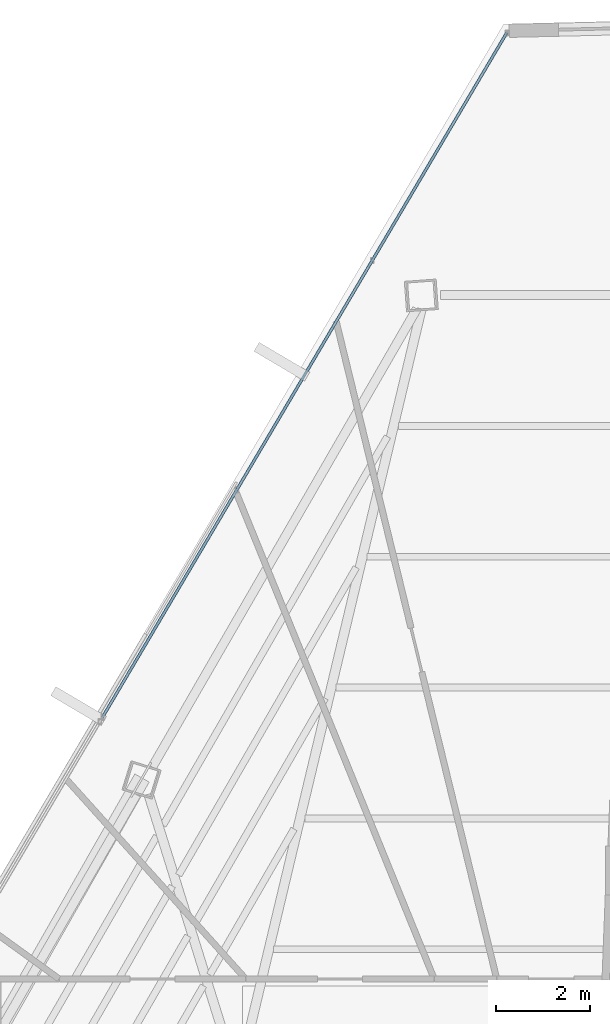
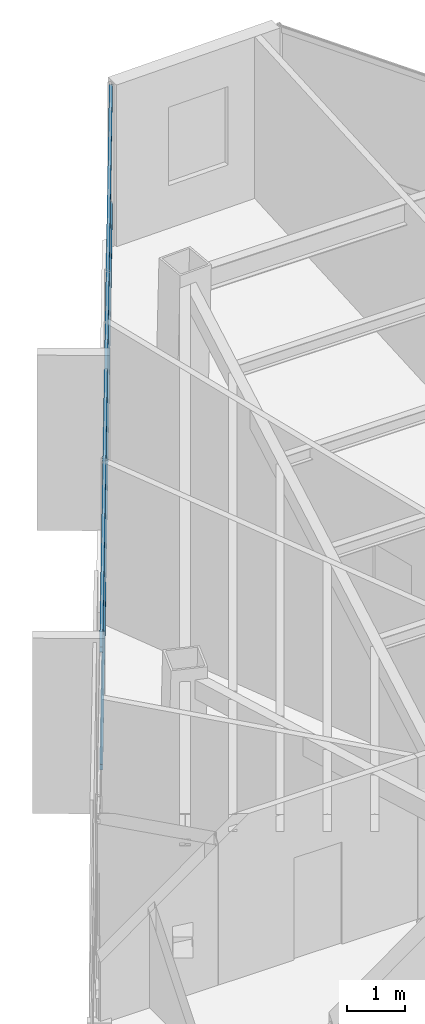
# One storey, part 33 of 45: 2 members, 1 element without a shape of its own.
"""IFC4 building model written with IfcOpenShell, lengths in metres."""

from ifc_helpers import new_model, si_unit, direction, frame, origin, origin_2d, place, context, subcontext, project, spatial, hollow_rectangle, extrude, source, transform, mapped, material, material_profile, profile_set, type_object, type_shapes, element, aggregate, save


model = new_model("IFC4")

# Units and contexts
model_context = context("Model", 3, precision=1e-05, world=origin(), true_north=direction((0.0, 1.0)))
body_context = subcontext(model_context, "Body", "Model", "MODEL_VIEW")
ifc_project = project(units=[si_unit("LENGTHUNIT", "METRE"), si_unit("AREAUNIT", "SQUARE_METRE"), si_unit("VOLUMEUNIT", "CUBIC_METRE"), si_unit("PLANEANGLEUNIT", "RADIAN"), si_unit("MASSUNIT", "GRAM", prefix="KILO")], contexts=[model_context])

# Site, building, storey
site_placement = place(None, origin())
site = spatial("IfcSite", under=ifc_project, at=site_placement, CompositionType="ELEMENT")
building_placement = place(site_placement, origin())
building = spatial("IfcBuilding", under=site, at=building_placement, Name="Caelisora Broadcast Tower", CompositionType="ELEMENT")
storey_placement = place(building_placement, frame((0.0, 0.0, 266.35009765625)))
storey = spatial("IfcBuildingStorey", under=building, at=storey_placement, Name="L70", CompositionType="ELEMENT", Elevation=266.35009765625)

# Curtain wall, members
ifc_material_1 = material(Name="Unitised Aluminium and Low-E Glass Curtain Wall", Category="glass")
curtain_wall_type = type_object("IfcCurtainWallType", Name="CW-Z5", PredefinedType="NOTDEFINED", material=ifc_material_1)
curtain_wall_placement = place(storey_placement, origin())
curtain_wall = element("IfcCurtainWall", 1, at=curtain_wall_placement, inside=storey, type_object=curtain_wall_type, Name="L70 curtain wall CW-Z5", PredefinedType="NOTDEFINED")
ifc_material_2 = material(Name="Aluminium 6063-T6 Anodised Terracotta Bronze", Category="aluminium")
ifc_material_profile = material_profile(ifc_material_2, hollow_rectangle(XDim=0.06005859375, YDim=0.1201171875, WallThickness=0.0029296875, at=origin_2d()), Name="Aluminium 6063-T6 Anodised Terracotta Bronze")
ifc_profile_set = profile_set([ifc_material_profile], Name="Aluminium 6063-T6 Anodised Terracotta Bronze")
member_type = type_object("IfcMemberType", Name="CWT-03", PredefinedType="USERDEFINED", material=ifc_profile_set)
shared_shape = source(origin(), body_context, "Body", "SweptSolid", [
    extrude(hollow_rectangle(XDim=0.06005859375, YDim=0.1201171875, WallThickness=0.0029296875, at=origin_2d()), origin(), (0.0, 0.0, 1.0), 16.908203125),
])
type_shapes(member_type, [shared_shape])
member_1_placement = place(storey_placement, frame((27.623291015625, 37.71923828125, 0.849853515625), z_axis=(0.508535685161, 0.861040914776, 0.0), x_axis=(-0.861040914776, 0.508535685161, 0.0)))
member_1 = element("IfcMember", 2, at=member_1_placement, type_object=member_type, Name="L70-CW-B11 transom #1", ObjectType="TRANSOM", PredefinedType="USERDEFINED", context=body_context, shape_type="MappedRepresentation", body=[
    mapped(shared_shape, transform((0.0, 0.0, 0.0), scale=1.0)),
])
member_2_placement = place(storey_placement, frame((27.623291015625, 37.71923828125, 3.31982421875), z_axis=(0.508535685161, 0.861040914776, 0.0), x_axis=(-0.861040914776, 0.508535685161, 0.0)))
member_2 = element("IfcMember", 3, at=member_2_placement, type_object=member_type, Name="L70-CW-B11 transom #2", ObjectType="TRANSOM", PredefinedType="USERDEFINED", context=body_context, shape_type="MappedRepresentation", body=[
    mapped(shared_shape, transform((0.0, 0.0, 0.0), scale=1.0)),
])
aggregate(curtain_wall, [member_1, member_2])

save(model, "model.ifc")
